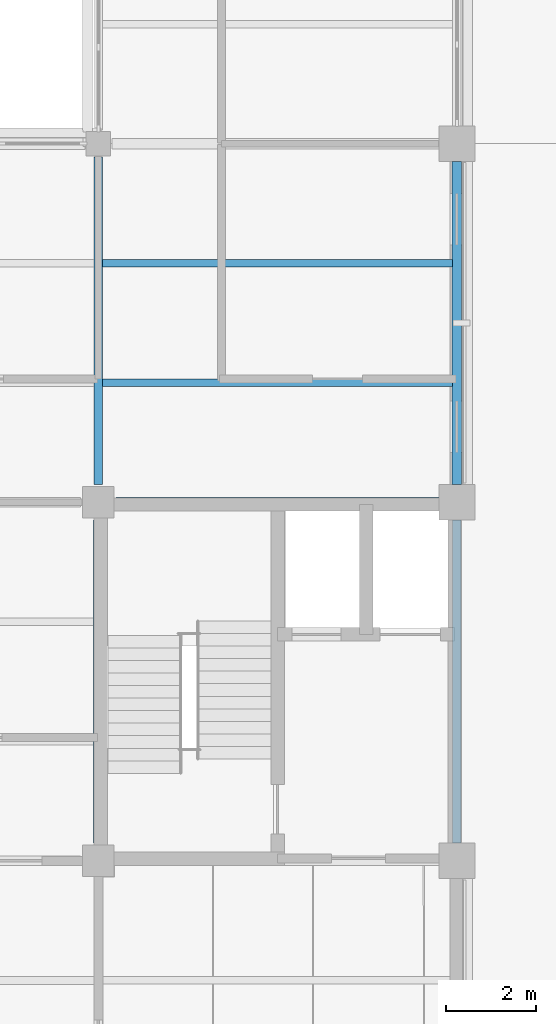
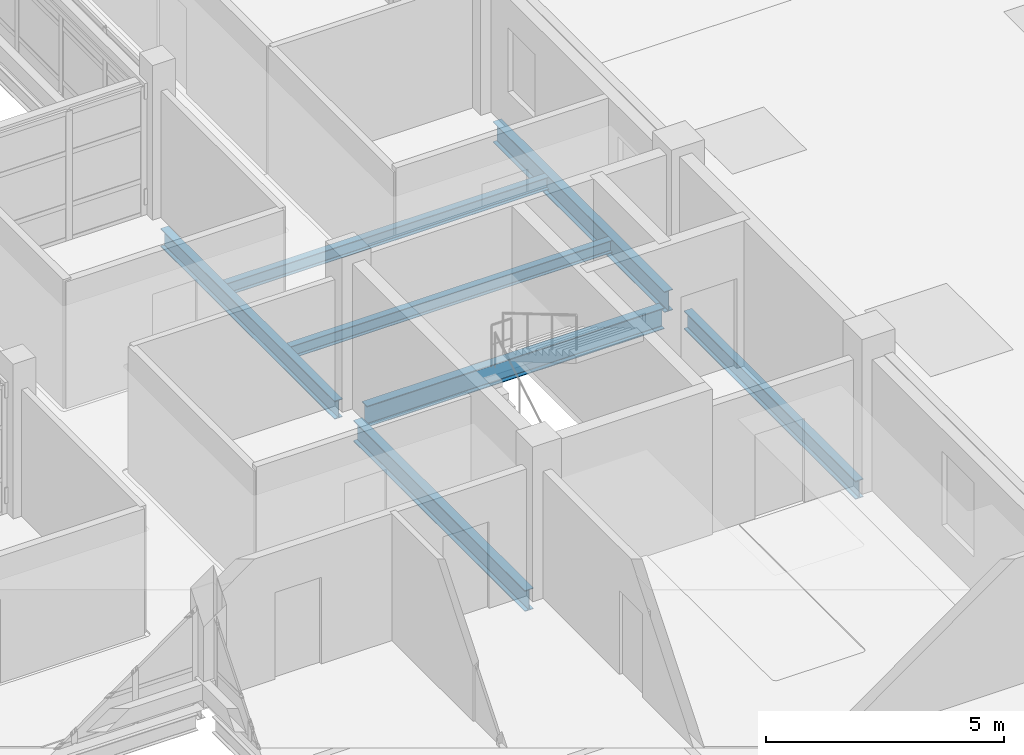
# One storey, part 23 of 107: 7 beams.
"""IFC4 building model written with IfcOpenShell, lengths in metres."""

from ifc_helpers import new_model, si_unit, derived_unit, direction, frame, origin, origin_2d, place, context, subcontext, project, spatial, i_section, extrude, material, material_profile, profile_set, type_object, element, save


model = new_model("IFC4")

# Units and contexts
model_context = context("Model", 3, precision=1e-05, world=origin(), true_north=direction((0.0, 1.0)))
body_context = subcontext(model_context, "Body", "Model", "MODEL_VIEW")
ifc_project = project(units=[si_unit("LENGTHUNIT", "METRE"), si_unit("AREAUNIT", "SQUARE_METRE"), si_unit("VOLUMEUNIT", "CUBIC_METRE"), si_unit("PLANEANGLEUNIT", "RADIAN"), si_unit("MASSUNIT", "GRAM", prefix="KILO"), derived_unit("THERMALTRANSMITTANCEUNIT", [(si_unit("MASSUNIT", "GRAM", prefix="KILO"), 1), (si_unit("TIMEUNIT", "SECOND"), -3), (si_unit("THERMODYNAMICTEMPERATUREUNIT", "KELVIN"), -1)])], contexts=[model_context])

# Site, building, storey
site_placement = place(None, origin())
site = spatial("IfcSite", under=ifc_project, at=site_placement, CompositionType="ELEMENT")
building_placement = place(site_placement, origin())
building = spatial("IfcBuilding", under=site, at=building_placement, Name="Veyamyaing Civic Hall", CompositionType="ELEMENT")
storey_placement = place(building_placement, frame((0.0, 0.0, 13.860107421875)))
storey = spatial("IfcBuildingStorey", under=building, at=storey_placement, Name="L03", CompositionType="ELEMENT", Elevation=13.860107421875)

# Beams
ifc_material = material(Name="Steel ASTM A992", Category="steel")
ifc_material_profile_1 = material_profile(ifc_material, i_section(OverallWidth=0.208984375, OverallDepth=0.532958984375, WebThickness=0.01025390625, FlangeThickness=0.015625, FilletRadius=0.011962890625, at=origin_2d()), Name="W530X92")
ifc_profile_set_1 = profile_set([ifc_material_profile_1], Name="Steel ASTM A992")
beam_type_1 = type_object("IfcBeamType", Name="B-07", PredefinedType="BEAM", material=ifc_profile_set_1)
beam_1_placement = place(storey_placement, frame((72.0, 56.39990234375, -0.521728515625), z_axis=(0.0, 1.0, 0.0), x_axis=(-1.0, 0.0, 0.0)))
element("IfcBeam", 1, at=beam_1_placement, inside=storey, type_object=beam_type_1, Name="Girder B-07 L03 Grid 10 H-J", PredefinedType="BEAM", context=body_context, shape_type="SweptSolid", body=[
    extrude(i_section(OverallWidth=0.208984375, OverallDepth=0.532958984375, WebThickness=0.01025390625, FlangeThickness=0.015625, FilletRadius=0.011962890625, at=origin_2d()), origin(), (0.0, 0.0, 1.0), 7.2001953125),
])
ifc_material_profile_2 = material_profile(ifc_material, i_section(OverallWidth=0.2109375, OverallDepth=0.5390625, WebThickness=0.01171875, FlangeThickness=0.018798828125, FilletRadius=0.011962890625, at=origin_2d()), Name="W530X109")
ifc_profile_set_2 = profile_set([ifc_material_profile_2], Name="Steel ASTM A992")
beam_type_2 = type_object("IfcBeamType", Name="B-17", PredefinedType="BEAM", material=ifc_profile_set_2)
for number, where, z_axis, x_axis, name in (
    (2, (64.39990234375, 56.0, -0.524658203125), (1.0, 0.0, 0.0), (0.0, 1.0, 0.0), "Girder B-17 L03 Grid H 9-10"),
    (3, (64.0, 48.39990234375, -0.524658203125), (0.0, 1.0, 0.0), (-1.0, 0.0, 0.0), "Girder B-17 L03 Grid 9 G-H"),
):
    element("IfcBeam", number, at=place(storey_placement, frame(where, z_axis=z_axis, x_axis=x_axis)), inside=storey, type_object=beam_type_2, Name=name, PredefinedType="BEAM", context=body_context, shape_type="SweptSolid", body=[
        extrude(i_section(OverallWidth=0.2109375, OverallDepth=0.5390625, WebThickness=0.01171875, FlangeThickness=0.018798828125, FilletRadius=0.011962890625, at=origin_2d()), origin(), (0.0, 0.0, 1.0), 7.2001953125),
    ])
ifc_material_profile_3 = material_profile(ifc_material, i_section(OverallWidth=0.194091796875, OverallDepth=0.468994140625, WebThickness=0.0126953125, FlangeThickness=0.0205078125, FilletRadius=0.010009765625, at=origin_2d()), Name="W460X106")
ifc_profile_set_3 = profile_set([ifc_material_profile_3], Name="Steel ASTM A992")
beam_type_3 = type_object("IfcBeamType", Name="B-18", PredefinedType="BEAM", material=ifc_profile_set_3)
beam_2_placement = place(storey_placement, frame((64.0, 56.39990234375, -0.489501953125), z_axis=(0.0, 1.0, 0.0), x_axis=(-1.0, 0.0, 0.0)))
element("IfcBeam", 4, at=beam_2_placement, inside=storey, type_object=beam_type_3, Name="Girder B-18 L03 Grid 9 H-J", PredefinedType="BEAM", context=body_context, shape_type="SweptSolid", body=[
    extrude(i_section(OverallWidth=0.194091796875, OverallDepth=0.468994140625, WebThickness=0.0126953125, FlangeThickness=0.0205078125, FilletRadius=0.010009765625, at=origin_2d()), origin(), (0.0, 0.0, 1.0), 7.300048828125),
])
beam_3_placement = place(storey_placement, frame((72.0, 48.39990234375, -0.489501953125), z_axis=(0.0, 1.0, 0.0), x_axis=(-1.0, 0.0, 0.0)))
element("IfcBeam", 5, at=beam_3_placement, inside=storey, type_object=beam_type_3, Name="Girder B-18 L03 Grid 10 G-H", PredefinedType="BEAM", context=body_context, shape_type="SweptSolid", body=[
    extrude(i_section(OverallWidth=0.194091796875, OverallDepth=0.468994140625, WebThickness=0.0126953125, FlangeThickness=0.0205078125, FilletRadius=0.010009765625, at=origin_2d()), origin(), (0.0, 0.0, 1.0), 7.2001953125),
])
ifc_material_profile_4 = material_profile(ifc_material, i_section(OverallWidth=0.1669921875, OverallDepth=0.318115234375, WebThickness=0.007568359375, FlangeThickness=0.01318359375, FilletRadius=0.010009765625, at=origin_2d()), Name="W310X52")
ifc_profile_set_4 = profile_set([ifc_material_profile_4], Name="Steel ASTM A992")
beam_type_4 = type_object("IfcBeamType", Name="J-04", PredefinedType="JOIST", material=ifc_profile_set_4)
for number, where, z_axis, x_axis, name in (
    (6, (64.094970703125, 58.666748046875, -0.4140625), (1.0, 0.0, 0.0), (0.0, 1.0, 0.0), "Composite floor joist J-04 L03 9.8.1"),
    (7, (64.094970703125, 61.333251953125, -0.4140625), (1.0, 0.0, 0.0), (0.0, 1.0, 0.0), "Composite floor joist J-04 L03 9.8.2"),
):
    element("IfcBeam", number, at=place(storey_placement, frame(where, z_axis=z_axis, x_axis=x_axis)), inside=storey, type_object=beam_type_4, Name=name, PredefinedType="JOIST", context=body_context, shape_type="SweptSolid", body=[
        extrude(i_section(OverallWidth=0.1669921875, OverallDepth=0.318115234375, WebThickness=0.007568359375, FlangeThickness=0.01318359375, FilletRadius=0.010009765625, at=origin_2d()), origin(), (0.0, 0.0, 1.0), 7.802490234375),
    ])

save(model, "model.ifc")
